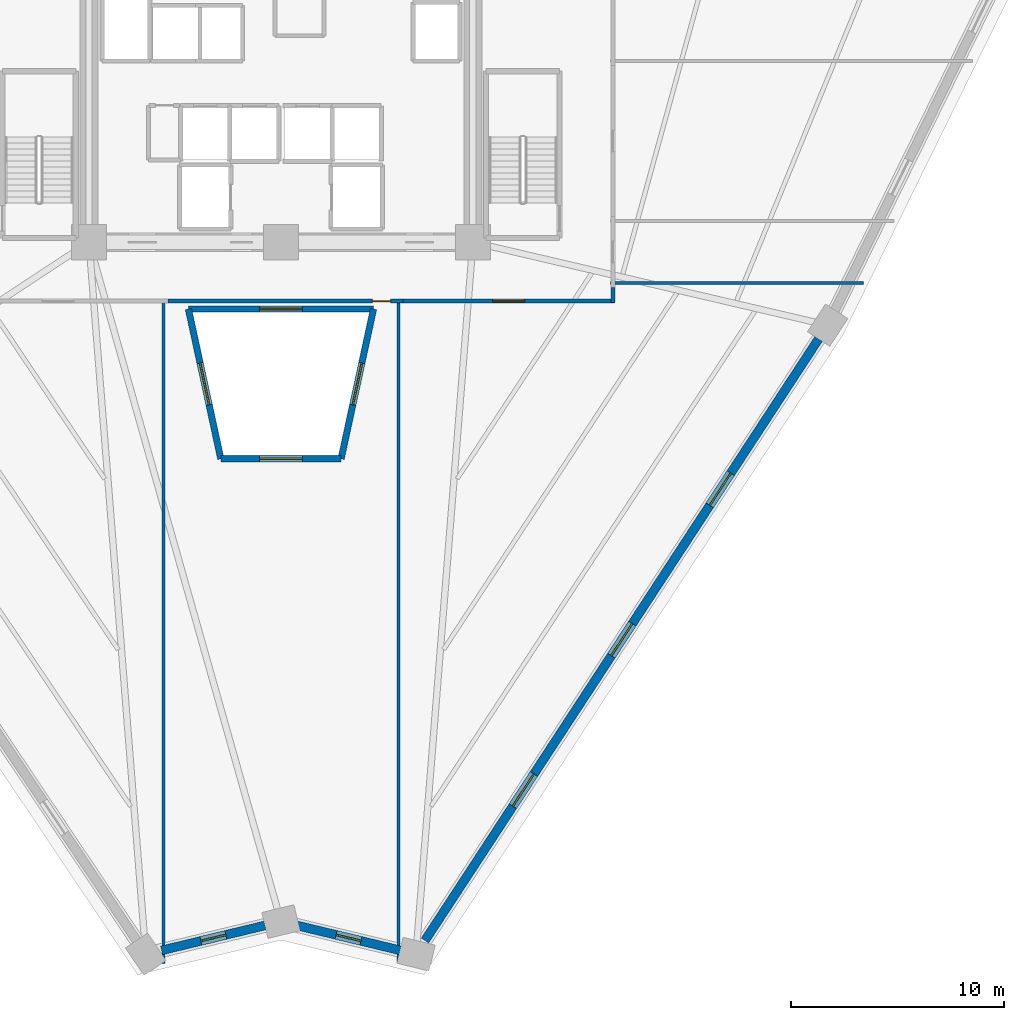
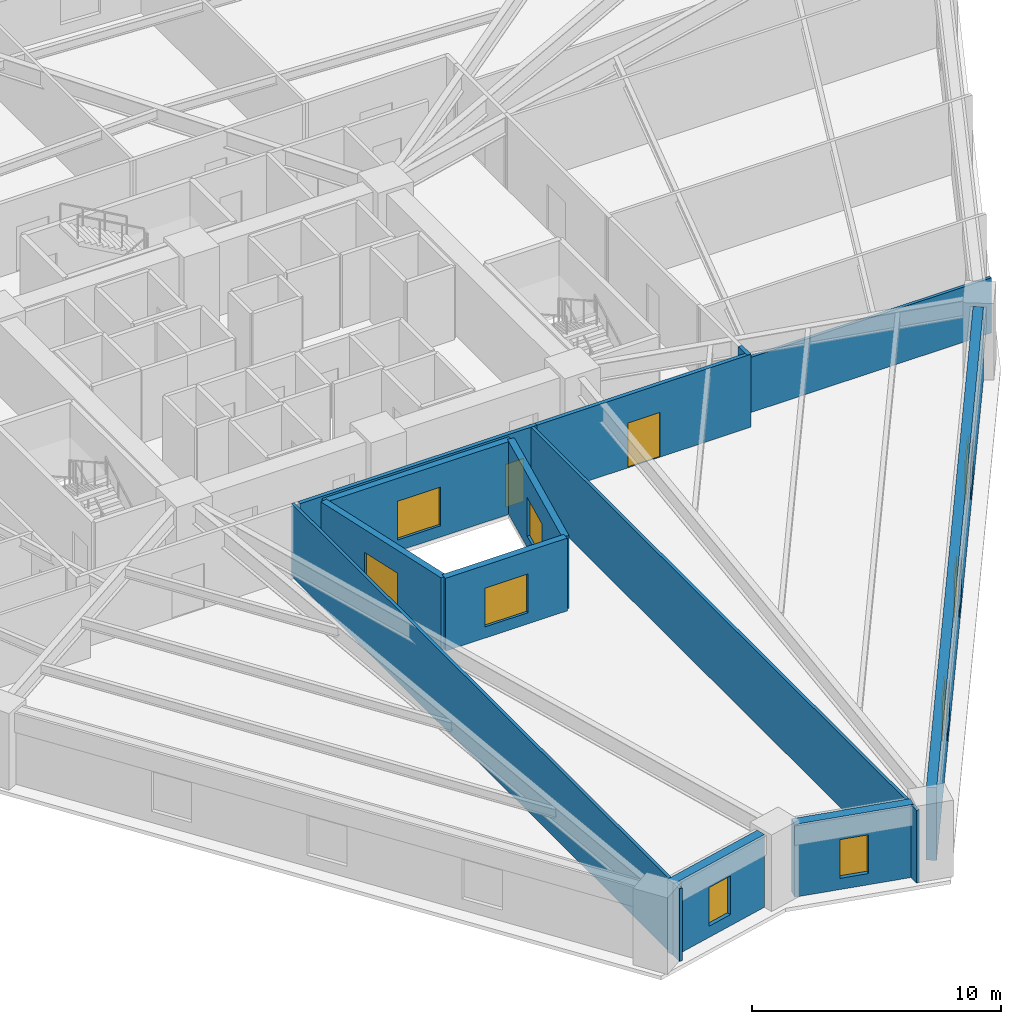
# One storey, part 3 of 11: 13 walls, 9 windows, 2 doors, 11 openings.
"""IFC4 building model written with IfcOpenShell, lengths in metres."""

import ifcopenshell
import ifcopenshell.guid

model = None  # the IFC model being written
_history = None  # IfcOwnerHistory: only IFC2X3 demands one
_inside = {}  # id of a spatial element -> (the spatial element, [elements in it])
_under = {}  # id of a project, library or spatial element -> (it, [spatial elements below it])
_declared = {}  # id of a project -> (the project, [libraries it declares])
_typed = {}  # id of a type object -> (the type object, [elements of that type])
_made_of = {}  # id of a material, layer set ... -> (it, [elements and type objects made of it])


def new_model(schema):
    """Start an empty IFC model of exactly this schema.

    Asked for "IFC4X3", IfcOpenShell would pick the latest addendum, in which some entities
    have other attributes; the version numbers below select the first issue.
    IFC2X3 requires an IfcOwnerHistory on every rooted entity: one is made here for all.
    """
    global model, _history
    if schema == "IFC4X3":
        model = ifcopenshell.file(schema_version=(4, 3, 0, 0))
    else:
        model = ifcopenshell.file(schema=schema)
    _inside.clear()
    _under.clear()
    _declared.clear()
    _typed.clear()
    _made_of.clear()
    _history = None
    if model.schema == "IFC2X3":
        org = make("IfcOrganization", Name="unknown")
        user = make(
            "IfcPersonAndOrganization",
            ThePerson=make("IfcPerson", FamilyName="unknown"),
            TheOrganization=org,
        )
        app = make(
            "IfcApplication",
            ApplicationDeveloper=org,
            Version="unknown",
            ApplicationFullName="unknown",
            ApplicationIdentifier="unknown",
        )
        _history = make(
            "IfcOwnerHistory",
            OwningUser=user,
            OwningApplication=app,
            ChangeAction="ADDED",
            CreationDate=0,
        )
    return model


def make(cls, **values):
    """One entity of the class cls with the attributes given. An attribute that is None is left unset."""
    return model.create_entity(
        cls, **{name: value for name, value in values.items() if value is not None}
    )


def rooted(cls, **values):
    """An entity with a GlobalId (a new one), such as an element, a storey or a relation."""
    return make(cls, GlobalId=ifcopenshell.guid.new(), OwnerHistory=_history, **values)


def si_unit(unit_type, name, prefix=None):
    """IfcSIUnit, for example si_unit("LENGTHUNIT", "METRE", prefix="MILLI")."""
    return make("IfcSIUnit", UnitType=unit_type, Prefix=prefix, Name=name)


def assignment(units):
    """IfcUnitAssignment: the units of a project."""
    return None if units is None else make("IfcUnitAssignment", Units=units)


def point(xyz):
    """IfcCartesianPoint."""
    return None if xyz is None else make("IfcCartesianPoint", Coordinates=xyz)


def direction(xyz):
    """IfcDirection."""
    return None if xyz is None else make("IfcDirection", DirectionRatios=xyz)


def frame(location, z_axis=None, x_axis=None):
    """IfcAxis2Placement3D, a coordinate frame: its origin and axes. An axis left out is left unset."""
    return make(
        "IfcAxis2Placement3D",
        Location=point(location),
        Axis=direction(z_axis),
        RefDirection=direction(x_axis),
    )


def frame_2d(location, x_axis=None):
    """IfcAxis2Placement2D, a coordinate frame in the plane: its origin and x axis."""
    return make(
        "IfcAxis2Placement2D", Location=point(location), RefDirection=direction(x_axis)
    )


def origin():
    """The frame at (0, 0, 0) with its axes left unset."""
    return frame((0.0, 0.0, 0.0))


def place(relative_to, where):
    """IfcLocalPlacement: puts the frame where relative to a parent placement (None: the world)."""
    return make(
        "IfcLocalPlacement", PlacementRelTo=relative_to, RelativePlacement=where
    )


def context(
    kind, dimensions, precision=None, world=None, true_north=None, identifier=None
):
    """IfcGeometricRepresentationContext, for example the 3D "Model" context."""
    return make(
        "IfcGeometricRepresentationContext",
        ContextIdentifier=identifier,
        ContextType=kind,
        CoordinateSpaceDimension=dimensions,
        Precision=precision,
        WorldCoordinateSystem=world,
        TrueNorth=true_north,
    )


def subcontext(parent, identifier, kind, view, scale=None):
    """IfcGeometricRepresentationSubContext, for example "Body" below "Model"."""
    return make(
        "IfcGeometricRepresentationSubContext",
        ContextIdentifier=identifier,
        ContextType=kind,
        ParentContext=parent,
        TargetScale=scale,
        TargetView=view,
    )


def project(units=None, contexts=None):
    """IfcProject with its units and contexts."""
    return rooted(
        "IfcProject",
        Name="project",
        RepresentationContexts=contexts,
        UnitsInContext=assignment(units),
    )


def spatial(cls, under=None, at=None, **own):
    """A site, building, storey or space (cls), placed at a placement, below another one or the project."""
    s = rooted(cls, ObjectPlacement=at, **own)
    if under is not None:
        _under.setdefault(under.id(), (under, []))[1].append(s)
    return s


def profile(cls, at=None, kind="AREA", **sizes):
    """A parametric profile (cls). Its sizes go by their IFC names, for example OverallWidth=200.0."""
    return make(cls, ProfileType=kind, Position=at, **sizes)


def rectangle(**sizes):
    """IfcRectangleProfileDef."""
    return profile("IfcRectangleProfileDef", **sizes)


def extrude(swept, where, along, depth):
    """IfcExtrudedAreaSolid: the profile swept, set in the frame where, extruded along a direction by depth."""
    return make(
        "IfcExtrudedAreaSolid",
        SweptArea=swept,
        Position=where,
        ExtrudedDirection=direction(along),
        Depth=depth,
    )


def shape(context_of_items, identifier, shape_type, items):
    """IfcShapeRepresentation: the items that make up one representation, for example the "Body"."""
    return make(
        "IfcShapeRepresentation",
        ContextOfItems=context_of_items,
        RepresentationIdentifier=identifier,
        RepresentationType=shape_type,
        Items=items,
    )


def source(mapping_origin, context_of_items, identifier, shape_type, items):
    """IfcRepresentationMap: a shape defined once, which mapped items show again and again."""
    return make(
        "IfcRepresentationMap",
        MappingOrigin=mapping_origin,
        MappedRepresentation=shape(context_of_items, identifier, shape_type, items),
    )


def transform(
    local_origin,
    x_axis=None,
    y_axis=None,
    z_axis=None,
    scale=None,
    scale2=None,
    scale3=None,
    uniform=True,
):
    """IfcCartesianTransformationOperator3D, or its non-uniform kind. x_axis, y_axis, z_axis: its Axis1, 2, 3."""
    if uniform:
        return make(
            "IfcCartesianTransformationOperator3D",
            Axis1=direction(x_axis),
            Axis2=direction(y_axis),
            LocalOrigin=point(local_origin),
            Scale=scale,
            Axis3=direction(z_axis),
        )
    return make(
        "IfcCartesianTransformationOperator3DnonUniform",
        Axis1=direction(x_axis),
        Axis2=direction(y_axis),
        LocalOrigin=point(local_origin),
        Scale=scale,
        Axis3=direction(z_axis),
        Scale2=scale2,
        Scale3=scale3,
    )


def mapped(mapping_source, mapping_target):
    """IfcMappedItem: shows the shape of a source again, moved by a transform."""
    return make(
        "IfcMappedItem", MappingSource=mapping_source, MappingTarget=mapping_target
    )


def material(Name=None, Category=None):
    """IfcMaterial."""
    return make("IfcMaterial", Name=Name, Category=Category)


def layer(
    of_material, thickness, ventilated=None, Name=None, Category=None, Priority=None
):
    """IfcMaterialLayer: one layer of a wall or slab, of a material (None: an air gap)."""
    return make(
        "IfcMaterialLayer",
        Material=of_material,
        LayerThickness=thickness,
        IsVentilated=ventilated,
        Name=Name,
        Category=Category,
        Priority=Priority,
    )


def layer_set(layers, Name=None):
    """IfcMaterialLayerSet."""
    return make("IfcMaterialLayerSet", MaterialLayers=layers, LayerSetName=Name)


def made_of(thing, what):
    """Note that an element or type object is made of a material, layer set ...; save() writes the relation."""
    if what is not None:
        _made_of.setdefault(what.id(), (what, []))[1].append(thing)
    return thing


def type_object(cls, material=None, **own):
    """A type object (cls), such as IfcWallType, which elements share."""
    return made_of(rooted(cls, **own), material)


def element(
    cls,
    number,
    at=None,
    inside=None,
    cuts=None,
    type_object=None,
    material=None,
    context=None,
    identifier="Body",
    shape_type=None,
    held_by="IfcProductDefinitionShape",
    body=None,
    shapes=None,
    **own,
):
    """One element of the class cls, such as IfcWall. Its Tag is "e" and its number.

    at: its placement. inside: the storey or other place that contains it. cuts: it is an
    opening in that element (IfcRelVoidsElement). A single representation is given by context,
    identifier, shape_type and body (its items); several are given by shapes. held_by: the class
    of the entity that holds the representations. save() writes the other relations.
    """
    e = rooted(cls, Tag="e%d" % number, ObjectPlacement=at, **own)
    if body is not None:
        shapes = [shape(context, identifier, shape_type, body)]
    if shapes is not None:
        e.Representation = make(held_by, Representations=shapes)
    if inside is not None:
        _inside.setdefault(inside.id(), (inside, []))[1].append(e)
    if cuts is not None:
        rooted(
            "IfcRelVoidsElement", RelatingBuildingElement=cuts, RelatedOpeningElement=e
        )
    if type_object is not None:
        _typed.setdefault(type_object.id(), (type_object, []))[1].append(e)
    return made_of(e, material)


def fill(opening, filler):
    """IfcRelFillsElement: the door or window that sits in an opening."""
    return rooted(
        "IfcRelFillsElement",
        RelatingOpeningElement=opening,
        RelatedBuildingElement=filler,
    )


def aggregate(whole, parts):
    """IfcRelAggregates: a whole, such as a stair, and the parts it consists of."""
    return rooted("IfcRelAggregates", RelatingObject=whole, RelatedObjects=parts)


def save(model, path):
    """Write the relations noted so far, then the file.

    IfcRelAggregates (storeys below a building ...), IfcRelContainedInSpatialStructure (elements
    in a storey), IfcRelDefinesByType, IfcRelAssociatesMaterial and IfcRelDeclares: one each for
    every whole, place, type object, material and project.
    """
    for whole, parts in _under.values():
        aggregate(whole, parts)
    for where, things in _inside.values():
        rooted(
            "IfcRelContainedInSpatialStructure",
            RelatedElements=things,
            RelatingStructure=where,
        )
    for kind, things in _typed.values():
        rooted("IfcRelDefinesByType", RelatedObjects=things, RelatingType=kind)
    for what, things in _made_of.values():
        rooted("IfcRelAssociatesMaterial", RelatedObjects=things, RelatingMaterial=what)
    for by, libraries in _declared.values():
        rooted("IfcRelDeclares", RelatingContext=by, RelatedDefinitions=libraries)
    model.write(path)


model = new_model("IFC4")

# Units and contexts
model_context = context("Model", 3, precision=1e-05, world=origin(), true_north=direction((0.0, 1.0)))
body_context = subcontext(model_context, "Body", "Model", "MODEL_VIEW")
ifc_project = project(units=[si_unit("LENGTHUNIT", "METRE"), si_unit("AREAUNIT", "SQUARE_METRE"), si_unit("VOLUMEUNIT", "CUBIC_METRE"), si_unit("PLANEANGLEUNIT", "RADIAN"), si_unit("MASSUNIT", "GRAM", prefix="KILO")], contexts=[model_context])

# Site, building, storey
site_placement = place(None, origin())
site = spatial("IfcSite", under=ifc_project, at=site_placement, CompositionType="ELEMENT")
building_placement = place(site_placement, origin())
building = spatial("IfcBuilding", under=site, at=building_placement, Name="Liaohun Quay Tower", CompositionType="ELEMENT")
storey_placement = place(building_placement, frame((0.0, 0.0, 51.75)))
storey = spatial("IfcBuildingStorey", under=building, at=storey_placement, Name="L13", CompositionType="ELEMENT", Elevation=51.75)

# Wall, opening, window
ifc_material_1 = material(Name="Concrete C50", Category="concrete")
ifc_layer_1 = layer(ifc_material_1, 0.300048828125, Name="Concrete C50", Category="concrete")
ifc_layer_set_1 = layer_set([ifc_layer_1], Name="Concrete C50")
wall_type_1 = type_object("IfcWallType", Name="WAL-ATR-300", PredefinedType="SOLIDWALL", material=ifc_layer_set_1)
wall_1_placement = place(storey_placement, frame((57.178955078125, 36.345947265625, 0.0), z_axis=(0.0, 0.0, 1.0), x_axis=(-0.211373141383, 0.977405440491, 0.0)))
wall_1 = element("IfcWall", 1, at=wall_1_placement, inside=storey, type_object=wall_type_1, Name="L13 Atrium Fire Compartment Wall 1", PredefinedType="SOLIDWALL", context=body_context, shape_type="SweptSolid", body=[
    extrude(rectangle(XDim=7.1865234375, YDim=0.300048828125, at=frame_2d((3.59326171875, 0.0))), origin(), (0.0, 0.0, 1.0), 3.570068359375),
])
shared_shape_1 = source(origin(), body_context, "Body", "SweptSolid", [
    extrude(rectangle(XDim=2.0, YDim=1.89990234375, at=frame_2d((1.0, 0.949951171875))), frame((0.0, 0.159912109375, 0.0), z_axis=(0.0, -1.0, 0.0), x_axis=(1.0, 0.0, 0.0)), (0.0, 0.0, 1.0), 0.320068359375),
])
opening_1_placement = place(wall_1_placement, frame((2.593017578125, 0.0, 0.550048828125)))
opening_1 = element("IfcOpeningElement", 2, at=opening_1_placement, cuts=wall_1, Name="Opening W07", PredefinedType="OPENING", context=body_context, shape_type="MappedRepresentation", body=[
    mapped(shared_shape_1, transform((0.0, 0.0, 0.0), x_axis=(1.0, 0.0, 0.0), y_axis=(0.0, 1.0, 0.0), z_axis=(0.0, 0.0, 1.0), scale=1.0)),
])
ifc_material_2 = material(Name="Class A 180-min fire-resistant insulated glazing", Category="glass")
window_type_1 = type_object("IfcWindowType", Name="WIN-ATR-FIR", PartitioningType="DOUBLE_PANEL_VERTICAL", PredefinedType="WINDOW", material=ifc_material_2)
shared_shape_2 = source(origin(), body_context, "Body", "SweptSolid", [
    extrude(rectangle(XDim=2.0, YDim=1.89990234375, at=frame_2d((1.0, 0.949951171875))), frame((0.0, 0.030029296875, 0.0), z_axis=(0.0, -1.0, 0.0), x_axis=(1.0, 0.0, 0.0)), (0.0, 0.0, 1.0), 0.06005859375),
])
window_1_placement = place(opening_1_placement, origin())
window_1 = element("IfcWindow", 3, at=window_1_placement, inside=storey, type_object=window_type_1, Name="L13 Atrium Fire-Resistant Glazing W07-1", OverallHeight=1.89990234375, OverallWidth=2.0, PartitioningType="DOUBLE_PANEL_VERTICAL", PredefinedType="WINDOW", context=body_context, shape_type="MappedRepresentation", body=[
    mapped(shared_shape_2, transform((0.0, 0.0, 0.0), x_axis=(1.0, 0.0, 0.0), y_axis=(0.0, 1.0, 0.0), z_axis=(0.0, 0.0, 1.0), scale=1.0)),
])
fill(opening_1, window_1)

wall_2_placement = place(storey_placement, frame((55.659912109375, 43.3701171875, 0.0), z_axis=(0.0, 0.0, 1.0), x_axis=(1.0, 0.0, 0.0)))
wall_2 = element("IfcWall", 4, at=wall_2_placement, inside=storey, type_object=wall_type_1, Name="L13 Atrium Fire Compartment Wall 2", PredefinedType="SOLIDWALL", context=body_context, shape_type="SweptSolid", body=[
    extrude(rectangle(XDim=8.68017578125, YDim=0.300048828125, at=frame_2d((4.340087890625, 0.0))), origin(), (0.0, 0.0, 1.0), 3.570068359375),
])
opening_2_placement = place(wall_2_placement, frame((3.340087890625, 0.0, 0.550048828125)))
opening_2 = element("IfcOpeningElement", 5, at=opening_2_placement, cuts=wall_2, Name="Opening W07", PredefinedType="OPENING", context=body_context, shape_type="MappedRepresentation", body=[
    mapped(shared_shape_1, transform((0.0, 0.0, 0.0), x_axis=(1.0, 0.0, 0.0), y_axis=(0.0, 1.0, 0.0), z_axis=(0.0, 0.0, 1.0), scale=1.0)),
])
window_2_placement = place(opening_2_placement, origin())
window_2 = element("IfcWindow", 6, at=window_2_placement, inside=storey, type_object=window_type_1, Name="L13 Atrium Fire-Resistant Glazing W07-2", OverallHeight=1.89990234375, OverallWidth=2.0, PartitioningType="DOUBLE_PANEL_VERTICAL", PredefinedType="WINDOW", context=body_context, shape_type="MappedRepresentation", body=[
    mapped(shared_shape_2, transform((0.0, 0.0, 0.0), x_axis=(1.0, 0.0, 0.0), y_axis=(0.0, 1.0, 0.0), z_axis=(0.0, 0.0, 1.0), scale=1.0)),
])
fill(opening_2, window_2)

wall_3_placement = place(storey_placement, frame((64.340087890625, 43.3701171875, 0.0), z_axis=(0.0, 0.0, 1.0), x_axis=(-0.211373141383, -0.977405440491, 0.0)))
wall_3 = element("IfcWall", 7, at=wall_3_placement, inside=storey, type_object=wall_type_1, Name="L13 Atrium Fire Compartment Wall 3", PredefinedType="SOLIDWALL", context=body_context, shape_type="SweptSolid", body=[
    extrude(rectangle(XDim=7.1865234375, YDim=0.300048828125, at=frame_2d((3.59326171875, 0.0))), origin(), (0.0, 0.0, 1.0), 3.570068359375),
])
opening_3_placement = place(wall_3_placement, frame((2.593017578125, 0.0, 0.550048828125)))
opening_3 = element("IfcOpeningElement", 8, at=opening_3_placement, cuts=wall_3, Name="Opening W07", PredefinedType="OPENING", context=body_context, shape_type="MappedRepresentation", body=[
    mapped(shared_shape_1, transform((0.0, 0.0, 0.0), x_axis=(1.0, 0.0, 0.0), y_axis=(0.0, 1.0, 0.0), z_axis=(0.0, 0.0, 1.0), scale=1.0)),
])
window_3_placement = place(opening_3_placement, origin())
window_3 = element("IfcWindow", 9, at=window_3_placement, inside=storey, type_object=window_type_1, Name="L13 Atrium Fire-Resistant Glazing W07-3", OverallHeight=1.89990234375, OverallWidth=2.0, PartitioningType="DOUBLE_PANEL_VERTICAL", PredefinedType="WINDOW", context=body_context, shape_type="MappedRepresentation", body=[
    mapped(shared_shape_2, transform((0.0, 0.0, 0.0), x_axis=(1.0, 0.0, 0.0), y_axis=(0.0, 1.0, 0.0), z_axis=(0.0, 0.0, 1.0), scale=1.0)),
])
fill(opening_3, window_3)

wall_4_placement = place(storey_placement, frame((62.821044921875, 36.345947265625, 0.0), z_axis=(0.0, 0.0, 1.0), x_axis=(-1.0, 0.0, 0.0)))
wall_4 = element("IfcWall", 10, at=wall_4_placement, inside=storey, type_object=wall_type_1, Name="L13 Atrium Fire Compartment Wall 4", PredefinedType="SOLIDWALL", context=body_context, shape_type="SweptSolid", body=[
    extrude(rectangle(XDim=5.64208984375, YDim=0.300048828125, at=frame_2d((2.821044921875, 0.0))), origin(), (0.0, 0.0, 1.0), 3.570068359375),
])
opening_4_placement = place(wall_4_placement, frame((1.821044921875, 0.0, 0.550048828125)))
opening_4 = element("IfcOpeningElement", 11, at=opening_4_placement, cuts=wall_4, Name="Opening W07", PredefinedType="OPENING", context=body_context, shape_type="MappedRepresentation", body=[
    mapped(shared_shape_1, transform((0.0, 0.0, 0.0), x_axis=(1.0, 0.0, 0.0), y_axis=(0.0, 1.0, 0.0), z_axis=(0.0, 0.0, 1.0), scale=1.0)),
])
window_4_placement = place(opening_4_placement, origin())
window_4 = element("IfcWindow", 12, at=window_4_placement, inside=storey, type_object=window_type_1, Name="L13 Atrium Fire-Resistant Glazing W07-4", OverallHeight=1.89990234375, OverallWidth=2.0, PartitioningType="DOUBLE_PANEL_VERTICAL", PredefinedType="WINDOW", context=body_context, shape_type="MappedRepresentation", body=[
    mapped(shared_shape_2, transform((0.0, 0.0, 0.0), x_axis=(1.0, 0.0, 0.0), y_axis=(0.0, 1.0, 0.0), z_axis=(0.0, 0.0, 1.0), scale=1.0)),
])
fill(opening_4, window_4)

ifc_material_3 = material(Name="Precast concrete C50 insulated sandwich", Category="concrete")
ifc_layer_2 = layer(ifc_material_3, 0.419921875, Name="Precast concrete C50 insulated sandwich", Category="concrete")
ifc_layer_set_2 = layer_set([ifc_layer_2], Name="Precast concrete C50 insulated sandwich")
wall_type_2 = type_object("IfcWallType", Name="WAL-EXT-Z12", PredefinedType="SOLIDWALL", material=ifc_layer_set_2)
wall_5_placement = place(storey_placement, frame((60.743896484375, 14.471923828125, 0.0), z_axis=(0.0, 0.0, 1.0), x_axis=(0.972095694159, -0.234584657207, 0.0)))
wall_5 = element("IfcWall", 13, at=wall_5_placement, inside=storey, type_object=wall_type_2, Name="L13 Brutalist Precast Pier Wall 01", PredefinedType="SOLIDWALL", context=body_context, shape_type="SweptSolid", body=[
    extrude(rectangle(XDim=4.983154296875, YDim=0.419921875, at=frame_2d((2.49169921875, 0.0))), origin(), (0.0, 0.0, 1.0), 3.570068359375),
])
shared_shape_3 = source(origin(), body_context, "Body", "SweptSolid", [
    extrude(rectangle(XDim=1.199951171875, YDim=1.89990234375, at=frame_2d((0.60009765625, 0.949951171875))), frame((0.0, 0.219970703125, 0.0), z_axis=(0.0, -1.0, 0.0), x_axis=(1.0, 0.0, 0.0)), (0.0, 0.0, 1.0), 0.43994140625),
])
opening_5_placement = place(wall_5_placement, frame((1.89208984375, 0.0, 0.550048828125)))
opening_5 = element("IfcOpeningElement", 14, at=opening_5_placement, cuts=wall_5, Name="Opening W05", PredefinedType="OPENING", context=body_context, shape_type="MappedRepresentation", body=[
    mapped(shared_shape_3, transform((0.0, 0.0, 0.0), x_axis=(1.0, 0.0, 0.0), y_axis=(0.0, 1.0, 0.0), z_axis=(0.0, 0.0, 1.0), scale=1.0)),
])
ifc_material_4 = material(Name="Triple Low-E corner notch glazing", Category="glass")
window_type_2 = type_object("IfcWindowType", Name="WIN-NOTCH", PartitioningType="SINGLE_PANEL", PredefinedType="WINDOW", material=ifc_material_4)
shared_shape_4 = source(origin(), body_context, "Body", "SweptSolid", [
    extrude(rectangle(XDim=1.199951171875, YDim=1.89990234375, at=frame_2d((0.60009765625, 0.949951171875))), frame((0.0, 0.030029296875, 0.0), z_axis=(0.0, -1.0, 0.0), x_axis=(1.0, 0.0, 0.0)), (0.0, 0.0, 1.0), 0.06005859375),
])
window_5_placement = place(opening_5_placement, origin())
window_5 = element("IfcWindow", 15, at=window_5_placement, inside=storey, type_object=window_type_2, Name="L13 Corner Notch Window W05-01", OverallHeight=1.89990234375, OverallWidth=1.199951171875, PartitioningType="SINGLE_PANEL", PredefinedType="WINDOW", context=body_context, shape_type="MappedRepresentation", body=[
    mapped(shared_shape_4, transform((0.0, 0.0, 0.0), x_axis=(1.0, 0.0, 0.0), y_axis=(0.0, 1.0, 0.0), z_axis=(0.0, 0.0, 1.0), scale=1.0)),
])
fill(opening_5, window_5)

# Wall, openings, windows
wall_6_placement = place(storey_placement, frame((66.7509765625, 13.762939453125, 0.0), z_axis=(0.0, 0.0, 1.0), x_axis=(0.547544136791, 0.836776803135, 0.0)))
wall_6 = element("IfcWall", 16, at=wall_6_placement, inside=storey, type_object=wall_type_2, Name="L13 Brutalist Precast Pier Wall 02", PredefinedType="SOLIDWALL", context=body_context, shape_type="SweptSolid", body=[
    extrude(rectangle(XDim=33.714111328125, YDim=0.419921875, at=frame_2d((16.85693359375, 0.0))), origin(), (0.0, 0.0, 1.0), 3.570068359375),
])
shared_shape_5 = source(origin(), body_context, "Body", "SweptSolid", [
    extrude(rectangle(XDim=1.800048828125, YDim=1.949951171875, at=frame_2d((0.89990234375, 0.97509765625))), frame((0.0, 0.219970703125, 0.0), z_axis=(0.0, -1.0, 0.0), x_axis=(1.0, 0.0, 0.0)), (0.0, 0.0, 1.0), 0.43994140625),
])
opening_6_placement = place(wall_6_placement, frame((7.528076171875, 0.0, 0.550048828125)))
opening_6 = element("IfcOpeningElement", 17, at=opening_6_placement, cuts=wall_6, Name="Opening W01", PredefinedType="OPENING", context=body_context, shape_type="MappedRepresentation", body=[
    mapped(shared_shape_5, transform((0.0, 0.0, 0.0), x_axis=(1.0, 0.0, 0.0), y_axis=(0.0, 1.0, 0.0), z_axis=(0.0, 0.0, 1.0), scale=1.0)),
])
opening_7_placement = place(wall_6_placement, frame((15.95703125, 0.0, 0.550048828125)))
opening_7 = element("IfcOpeningElement", 18, at=opening_7_placement, cuts=wall_6, Name="Opening W01", PredefinedType="OPENING", context=body_context, shape_type="MappedRepresentation", body=[
    mapped(shared_shape_5, transform((0.0, 0.0, 0.0), x_axis=(1.0, 0.0, 0.0), y_axis=(0.0, 1.0, 0.0), z_axis=(0.0, 0.0, 1.0), scale=1.0)),
])
opening_8_placement = place(wall_6_placement, frame((24.385009765625, 0.0, 0.550048828125)))
opening_8 = element("IfcOpeningElement", 19, at=opening_8_placement, cuts=wall_6, Name="Opening W01", PredefinedType="OPENING", context=body_context, shape_type="MappedRepresentation", body=[
    mapped(shared_shape_5, transform((0.0, 0.0, 0.0), x_axis=(1.0, 0.0, 0.0), y_axis=(0.0, 1.0, 0.0), z_axis=(0.0, 0.0, 1.0), scale=1.0)),
])
ifc_material_5 = material(Name="Triple Low-E argon glazing in thermally broken aluminium", Category="aluminium")
window_type_3 = type_object("IfcWindowType", Name="WIN-PUN-Z1", PartitioningType="DOUBLE_PANEL_VERTICAL", PredefinedType="WINDOW", material=ifc_material_5)
shared_shape_6 = source(origin(), body_context, "Body", "SweptSolid", [
    extrude(rectangle(XDim=1.800048828125, YDim=1.949951171875, at=frame_2d((0.89990234375, 0.97509765625))), frame((0.0, 0.030029296875, 0.0), z_axis=(0.0, -1.0, 0.0), x_axis=(1.0, 0.0, 0.0)), (0.0, 0.0, 1.0), 0.06005859375),
])
window_6_placement = place(opening_6_placement, origin())
window_6 = element("IfcWindow", 20, at=window_6_placement, inside=storey, type_object=window_type_3, Name="L13 Recessed Cold-Climate Punched Window 02-1", OverallHeight=1.949951171875, OverallWidth=1.800048828125, PartitioningType="DOUBLE_PANEL_VERTICAL", PredefinedType="WINDOW", context=body_context, shape_type="MappedRepresentation", body=[
    mapped(shared_shape_6, transform((0.0, 0.0, 0.0), x_axis=(1.0, 0.0, 0.0), y_axis=(0.0, 1.0, 0.0), z_axis=(0.0, 0.0, 1.0), scale=1.0)),
])
fill(opening_6, window_6)
window_7_placement = place(opening_7_placement, origin())
window_7 = element("IfcWindow", 21, at=window_7_placement, inside=storey, type_object=window_type_3, Name="L13 Recessed Cold-Climate Punched Window 02-2", OverallHeight=1.949951171875, OverallWidth=1.800048828125, PartitioningType="DOUBLE_PANEL_VERTICAL", PredefinedType="WINDOW", context=body_context, shape_type="MappedRepresentation", body=[
    mapped(shared_shape_6, transform((0.0, 0.0, 0.0), x_axis=(1.0, 0.0, 0.0), y_axis=(0.0, 1.0, 0.0), z_axis=(0.0, 0.0, 1.0), scale=1.0)),
])
fill(opening_7, window_7)
window_8_placement = place(opening_8_placement, origin())
window_8 = element("IfcWindow", 22, at=window_8_placement, inside=storey, type_object=window_type_3, Name="L13 Recessed Cold-Climate Punched Window 02-3", OverallHeight=1.949951171875, OverallWidth=1.800048828125, PartitioningType="DOUBLE_PANEL_VERTICAL", PredefinedType="WINDOW", context=body_context, shape_type="MappedRepresentation", body=[
    mapped(shared_shape_6, transform((0.0, 0.0, 0.0), x_axis=(1.0, 0.0, 0.0), y_axis=(0.0, 1.0, 0.0), z_axis=(0.0, 0.0, 1.0), scale=1.0)),
])
fill(opening_8, window_8)

# Wall, opening, window
wall_7_placement = place(storey_placement, frame((54.405029296875, 13.301025390625, 0.0), z_axis=(0.0, 0.0, 1.0), x_axis=(0.972084517215, 0.234630968524, 0.0)))
wall_7 = element("IfcWall", 23, at=wall_7_placement, inside=storey, type_object=wall_type_2, Name="L13 Brutalist Precast Pier Wall 12", PredefinedType="SOLIDWALL", context=body_context, shape_type="SweptSolid", body=[
    extrude(rectangle(XDim=4.990478515625, YDim=0.419921875, at=frame_2d((2.4951171875, 0.0))), origin(), (0.0, 0.0, 1.0), 3.570068359375),
])
opening_9_placement = place(wall_7_placement, frame((1.89501953125, 0.0, 0.550048828125)))
opening_9 = element("IfcOpeningElement", 24, at=opening_9_placement, cuts=wall_7, Name="Opening W05", PredefinedType="OPENING", context=body_context, shape_type="MappedRepresentation", body=[
    mapped(shared_shape_3, transform((0.0, 0.0, 0.0), x_axis=(1.0, 0.0, 0.0), y_axis=(0.0, 1.0, 0.0), z_axis=(0.0, 0.0, 1.0), scale=1.0)),
])
window_9_placement = place(opening_9_placement, origin())
window_9 = element("IfcWindow", 25, at=window_9_placement, inside=storey, type_object=window_type_2, Name="L13 Corner Notch Window W05-12", OverallHeight=1.89990234375, OverallWidth=1.199951171875, PartitioningType="SINGLE_PANEL", PredefinedType="WINDOW", context=body_context, shape_type="MappedRepresentation", body=[
    mapped(shared_shape_4, transform((0.0, 0.0, 0.0), x_axis=(1.0, 0.0, 0.0), y_axis=(0.0, 1.0, 0.0), z_axis=(0.0, 0.0, 1.0), scale=1.0)),
])
fill(opening_9, window_9)

# Wall, opening, door
ifc_material_6 = material(Name="Autoclaved aerated concrete blockwork", Category="masonry")
ifc_layer_3 = layer(ifc_material_6, 0.179931640625, Name="Autoclaved aerated concrete blockwork", Category="masonry")
ifc_layer_set_3 = layer_set([ifc_layer_3], Name="Autoclaved aerated concrete blockwork")
wall_type_3 = type_object("IfcWallType", Name="WAL-PRT-COR", PredefinedType="PARTITIONING", material=ifc_layer_set_3)
wall_8_placement = place(storey_placement, frame((65.715087890625, 43.739990234375, 0.0), z_axis=(0.0, 0.0, 1.0), x_axis=(-1.0, 0.0, 0.0)))
wall_8 = element("IfcWall", 26, at=wall_8_placement, inside=storey, type_object=wall_type_3, Name="L13 Interior Partition Wall 020", PredefinedType="PARTITIONING", context=body_context, shape_type="SweptSolid", body=[
    extrude(rectangle(XDim=11.0, YDim=0.179931640625, at=frame_2d((5.5, 0.0))), origin(), (0.0, 0.0, 1.0), 3.570068359375),
])
shared_shape_7 = source(origin(), body_context, "Body", "SweptSolid", [
    extrude(rectangle(XDim=0.85009765625, YDim=2.10009765625, at=frame_2d((0.425048828125, 1.050048828125))), frame((0.0, 0.099853515625, 0.0), z_axis=(0.0, -1.0, 0.0), x_axis=(1.0, 0.0, 0.0)), (0.0, 0.0, 1.0), 0.199951171875),
])
opening_10_placement = place(wall_8_placement, frame((0.574951171875, 0.0, 0.0)))
opening_10 = element("IfcOpeningElement", 27, at=opening_10_placement, cuts=wall_8, Name="Opening AD1", PredefinedType="OPENING", context=body_context, shape_type="MappedRepresentation", body=[
    mapped(shared_shape_7, transform((0.0, 0.0, 0.0), x_axis=(1.0, 0.0, 0.0), y_axis=(0.0, 1.0, 0.0), z_axis=(0.0, 0.0, 1.0), scale=1.0)),
])
ifc_material_7 = material(Name="Steel riser inspection fire door", Category="steel")
door_type_1 = type_object("IfcDoorType", Name="DOR-SHF-850", OperationType="NOTDEFINED", PredefinedType="DOOR", material=ifc_material_7)
shared_shape_8 = source(origin(), body_context, "Body", "SweptSolid", [
    extrude(rectangle(XDim=0.85009765625, YDim=2.10009765625, at=frame_2d((0.425048828125, 1.050048828125))), frame((0.0, 0.02490234375, 0.0), z_axis=(0.0, -1.0, 0.0), x_axis=(1.0, 0.0, 0.0)), (0.0, 0.0, 1.0), 0.050048828125),
])
door_1_placement = place(opening_10_placement, origin())
door_1 = element("IfcDoor", 28, at=door_1_placement, inside=storey, type_object=door_type_1, Name="L13 Executive Partner Office 11 Door", OperationType="SINGLE_SWING_LEFT", OverallHeight=2.10009765625, OverallWidth=0.85009765625, PredefinedType="DOOR", context=body_context, shape_type="MappedRepresentation", body=[
    mapped(shared_shape_8, transform((0.0, 0.0, 0.0), x_axis=(1.0, 0.0, 0.0), y_axis=(0.0, 1.0, 0.0), z_axis=(0.0, 0.0, 1.0), scale=1.0)),
])
fill(opening_10, door_1)

wall_9_placement = place(storey_placement, frame((75.6298828125, 43.739990234375, 0.0), z_axis=(0.0, 0.0, 1.0), x_axis=(-1.0, 0.0, 0.0)))
wall_9 = element("IfcWall", 29, at=wall_9_placement, inside=storey, type_object=wall_type_3, Name="L13 Interior Partition Wall 021", PredefinedType="PARTITIONING", context=body_context, shape_type="SweptSolid", body=[
    extrude(rectangle(XDim=9.914794921875, YDim=0.179931640625, at=frame_2d((4.95751953125, 0.0))), origin(), (0.0, 0.0, 1.0), 3.570068359375),
])
shared_shape_9 = source(origin(), body_context, "Body", "SweptSolid", [
    extrude(rectangle(XDim=1.5, YDim=2.199951171875, at=frame_2d((0.75, 1.10009765625))), frame((0.0, 0.099853515625, 0.0), z_axis=(0.0, -1.0, 0.0), x_axis=(1.0, 0.0, 0.0)), (0.0, 0.0, 1.0), 0.199951171875),
])
opening_11_placement = place(wall_9_placement, frame((4.20703125, 0.0, 0.0)))
opening_11 = element("IfcOpeningElement", 30, at=opening_11_placement, cuts=wall_9, Name="Opening OD2", PredefinedType="OPENING", context=body_context, shape_type="MappedRepresentation", body=[
    mapped(shared_shape_9, transform((0.0, 0.0, 0.0), x_axis=(1.0, 0.0, 0.0), y_axis=(0.0, 1.0, 0.0), z_axis=(0.0, 0.0, 1.0), scale=1.0)),
])
ifc_material_8 = material(Name="Acoustic oak veneer double door")
door_type_2 = type_object("IfcDoorType", Name="DOR-OFF-1500", OperationType="DOUBLE_DOOR_SINGLE_SWING", PredefinedType="DOOR", material=ifc_material_8)
shared_shape_10 = source(origin(), body_context, "Body", "SweptSolid", [
    extrude(rectangle(XDim=1.5, YDim=2.199951171875, at=frame_2d((0.75, 1.10009765625))), frame((0.0, 0.02490234375, 0.0), z_axis=(0.0, -1.0, 0.0), x_axis=(1.0, 0.0, 0.0)), (0.0, 0.0, 1.0), 0.050048828125),
])
door_2_placement = place(opening_11_placement, origin())
door_2 = element("IfcDoor", 31, at=door_2_placement, inside=storey, type_object=door_type_2, Name="L13 Client Reception Office 12 Door", OperationType="DOUBLE_DOOR_SINGLE_SWING", OverallHeight=2.199951171875, OverallWidth=1.5, PredefinedType="DOOR", context=body_context, shape_type="MappedRepresentation", body=[
    mapped(shared_shape_10, transform((0.0, 0.0, 0.0), x_axis=(1.0, 0.0, 0.0), y_axis=(0.0, 1.0, 0.0), z_axis=(0.0, 0.0, 1.0), scale=1.0)),
])
fill(opening_11, door_2)

# Walls
wall_10_placement = place(storey_placement, frame((75.56005859375, 44.385009765625, 0.0), z_axis=(0.0, 0.0, 1.0), x_axis=(0.0, -1.0, 0.0)))
element("IfcWall", 32, at=wall_10_placement, inside=storey, type_object=wall_type_3, Name="L13 Interior Partition Wall 040", PredefinedType="PARTITIONING", context=body_context, shape_type="SweptSolid", body=[
    extrude(rectangle(XDim=0.715087890625, YDim=0.179931640625, at=frame_2d((0.357421875, 0.0))), origin(), (0.0, 0.0, 1.0), 3.570068359375),
])
ifc_material_9 = material(Name="Gypsum board on twin steel studs", Category="steel")
ifc_layer_4 = layer(ifc_material_9, 0.139892578125, Name="Gypsum board on twin steel studs", Category="steel")
ifc_layer_set_4 = layer_set([ifc_layer_4], Name="Gypsum board on twin steel studs")
wall_type_4 = type_object("IfcWallType", Name="WAL-PRT-OFF", PredefinedType="PARTITIONING", material=ifc_layer_set_4)
wall_11_placement = place(storey_placement, frame((75.4599609375, 44.60009765625, 0.0), z_axis=(0.0, 0.0, 1.0), x_axis=(1.0, 0.0, 0.0)))
element("IfcWall", 33, at=wall_11_placement, inside=storey, type_object=wall_type_4, Name="L13 Interior Partition Wall 046", PredefinedType="PARTITIONING", context=body_context, shape_type="SweptSolid", body=[
    extrude(rectangle(XDim=11.84814453125, YDim=0.139892578125, at=frame_2d((5.924072265625, 0.0))), origin(), (0.0, 0.0, 1.0), 2.705078125),
])
for number, where, z_axis, x_axis, name in (
    (34, (54.5, 43.840087890625, 0.0), (0.0, 0.0, 1.0), (0.0, -1.0, 0.0), "L13 Interior Partition Wall 054"),
    (35, (65.5, 43.840087890625, 0.0), (0.0, 0.0, 1.0), (0.0, -1.0, 0.0), "L13 Interior Partition Wall 055"),
):
    element("IfcWall", number, at=place(storey_placement, frame(where, z_axis=z_axis, x_axis=x_axis)), inside=storey, type_object=wall_type_4, Name=name, PredefinedType="PARTITIONING", context=body_context, shape_type="SweptSolid", body=[
        extrude(rectangle(XDim=31.1640625, YDim=0.139892578125, at=frame_2d((15.58203125, 0.0))), origin(), (0.0, 0.0, 1.0), 3.570068359375),
    ])

save(model, "model.ifc")
